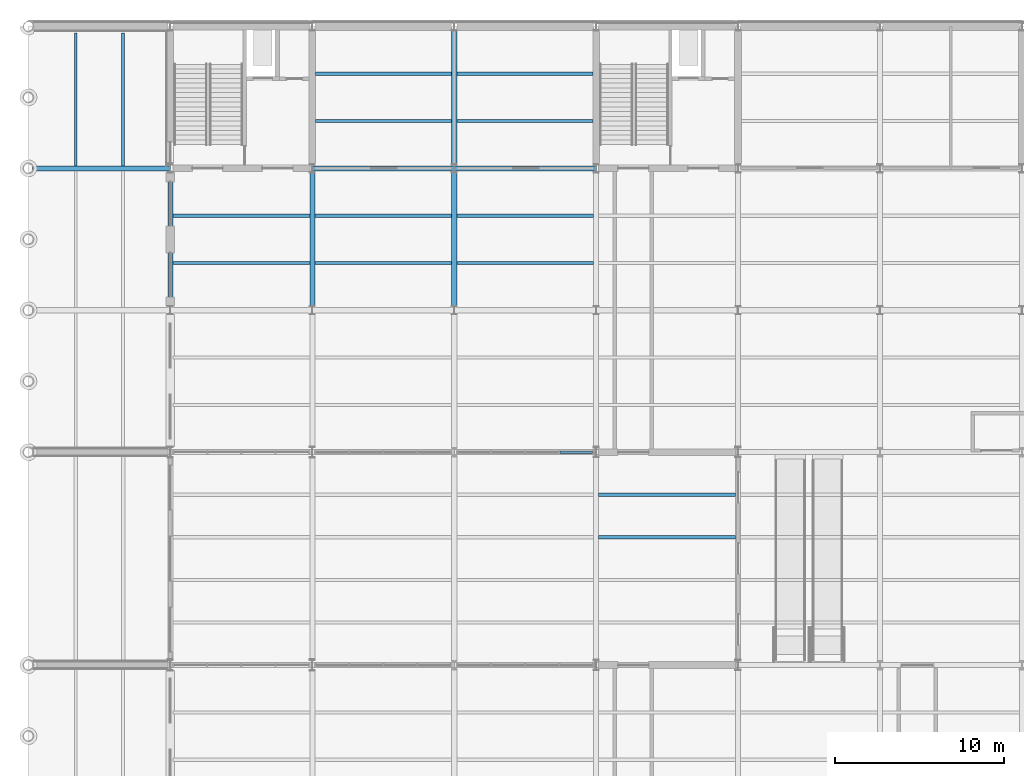
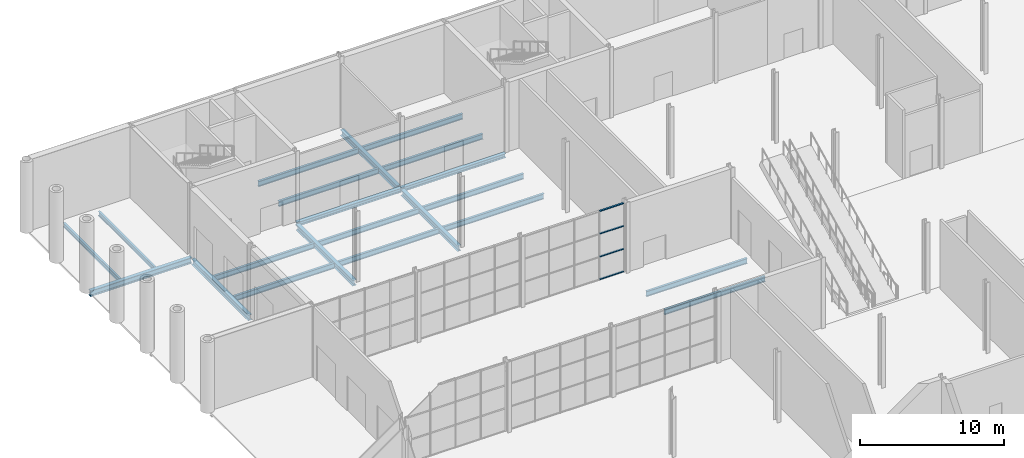
# One storey, part 17 of 55: 21 beams, 4 members, 1 element without a shape of its own.
"""IFC4 building model written with IfcOpenShell, lengths in metres."""

from ifc_helpers import new_model, si_unit, direction, frame, origin, origin_2d, place, context, subcontext, project, spatial, rectangle, i_section, extrude, material, layer, layer_set, material_profile, profile_set, type_object, element, aggregate, save


model = new_model("IFC4")

# Units and contexts
model_context = context("Model", 3, precision=1e-05, world=origin(), true_north=direction((0.0, 1.0)))
body_context = subcontext(model_context, "Body", "Model", "MODEL_VIEW")
ifc_project = project(units=[si_unit("LENGTHUNIT", "METRE"), si_unit("AREAUNIT", "SQUARE_METRE"), si_unit("VOLUMEUNIT", "CUBIC_METRE"), si_unit("PLANEANGLEUNIT", "RADIAN"), si_unit("MASSUNIT", "GRAM", prefix="KILO")], contexts=[model_context])

# Site, building, storey
site_placement = place(None, origin())
site = spatial("IfcSite", under=ifc_project, at=site_placement, CompositionType="ELEMENT")
building_placement = place(site_placement, origin())
building = spatial("IfcBuilding", under=site, at=building_placement, Name="Galleria Vessillo Department Store", CompositionType="ELEMENT")
storey_placement = place(building_placement, origin())
storey = spatial("IfcBuildingStorey", under=building, at=storey_placement, Name="L00", CompositionType="ELEMENT", Elevation=0.0)

# Curtain wall, members
ifc_material_1 = material(Name="Aluminium and glass curtain wall", Category="aluminium")
ifc_layer = layer(ifc_material_1, 0.199951171875)
ifc_layer_set = layer_set([ifc_layer], Name="Aluminium and glass curtain wall")
curtain_wall_type = type_object("IfcCurtainWallType", Name="Arcade curtain wall CW1 2100 module", PredefinedType="NOTDEFINED", material=ifc_layer_set)
curtain_wall_placement = place(storey_placement, origin())
curtain_wall = element("IfcCurtainWall", 1, at=curtain_wall_placement, inside=storey, type_object=curtain_wall_type, Name="Arcade curtain wall CW1 2100 module AI-AW-N-L00-02", PredefinedType="NOTDEFINED")
ifc_material_2 = material(Name="Aluminium alloy 6063 T6", Category="aluminium")
ifc_material_profile_1 = material_profile(ifc_material_2, rectangle(XDim=0.139892578125, YDim=0.070068359375, at=origin_2d()), Name="AL 70x140")
ifc_profile_set_1 = profile_set([ifc_material_profile_1], Name="Aluminium alloy 6063 T6")
member_type = type_object("IfcMemberType", Name="Aluminium transom 70 x 140", PredefinedType="USERDEFINED", material=ifc_profile_set_1)
member_1_placement = place(storey_placement, frame((31.453857421875, 37.800048828125, 0.034912109375), z_axis=(1.0, 0.0, 0.0), x_axis=(0.0, 1.0, 0.0)))
member_1 = element("IfcMember", 2, at=member_1_placement, type_object=member_type, Name="CW1 transom 4.1", ObjectType="TRANSOM", PredefinedType="USERDEFINED", context=body_context, shape_type="SweptSolid", body=[
    extrude(rectangle(XDim=0.139892578125, YDim=0.070068359375, at=origin_2d()), origin(), (0.0, 0.0, 1.0), 1.93359375),
])
member_2_placement = place(storey_placement, frame((31.453857421875, 37.800048828125, 1.949951171875), z_axis=(1.0, 0.0, 0.0), x_axis=(0.0, 1.0, 0.0)))
member_2 = element("IfcMember", 3, at=member_2_placement, type_object=member_type, Name="CW1 transom 4.2", ObjectType="TRANSOM", PredefinedType="USERDEFINED", context=body_context, shape_type="SweptSolid", body=[
    extrude(rectangle(XDim=0.139892578125, YDim=0.070068359375, at=origin_2d()), origin(), (0.0, 0.0, 1.0), 1.93359375),
])
member_3_placement = place(storey_placement, frame((31.453857421875, 37.800048828125, 3.900146484375), z_axis=(1.0, 0.0, 0.0), x_axis=(0.0, 1.0, 0.0)))
member_3 = element("IfcMember", 4, at=member_3_placement, type_object=member_type, Name="CW1 transom 4.3", ObjectType="TRANSOM", PredefinedType="USERDEFINED", context=body_context, shape_type="SweptSolid", body=[
    extrude(rectangle(XDim=0.139892578125, YDim=0.070068359375, at=origin_2d()), origin(), (0.0, 0.0, 1.0), 1.93359375),
])
member_4_placement = place(storey_placement, frame((31.453857421875, 37.800048828125, 5.815185546875), z_axis=(1.0, 0.0, 0.0), x_axis=(0.0, 1.0, 0.0)))
member_4 = element("IfcMember", 5, at=member_4_placement, type_object=member_type, Name="CW1 transom 4.4", ObjectType="TRANSOM", PredefinedType="USERDEFINED", context=body_context, shape_type="SweptSolid", body=[
    extrude(rectangle(XDim=0.139892578125, YDim=0.070068359375, at=origin_2d()), origin(), (0.0, 0.0, 1.0), 1.93359375),
])
aggregate(curtain_wall, [member_1, member_2, member_3, member_4])

# Beams
ifc_material_3 = material(Name="Steel S355 J2", Category="steel")
ifc_material_profile_2 = material_profile(ifc_material_3, i_section(OverallWidth=0.300048828125, OverallDepth=0.489990234375, WebThickness=0.011962890625, FlangeThickness=0.02294921875, FilletRadius=0.027099609375, at=origin_2d()), Name="HEA 500")
ifc_profile_set_2 = profile_set([ifc_material_profile_2], Name="Steel S355 J2")
beam_type_1 = type_object("IfcBeamType", Name="Floor girder HEA 500", PredefinedType="BEAM", material=ifc_profile_set_2)
beam_placement = place(storey_placement, frame((0.250244140625, 54.60009765625, -0.39501953125), z_axis=(1.0, 0.0, 0.0), x_axis=(0.0, 1.0, 0.0)))
element("IfcBeam", 6, at=beam_placement, inside=storey, type_object=beam_type_1, Name="S-BM-L00-GI-x54600-250", PredefinedType="BEAM", context=body_context, shape_type="SweptSolid", body=[
    extrude(i_section(OverallWidth=0.300048828125, OverallDepth=0.489990234375, WebThickness=0.011962890625, FlangeThickness=0.02294921875, FilletRadius=0.027099609375, at=origin_2d()), origin(), (0.0, 0.0, 1.0), 8.142333984375),
])
for number, where, z_axis, x_axis, name in (
    (7, (8.39990234375, 46.4501953125, -0.39501953125), (0.0, 1.0, 0.0), (-1.0, 0.0, 0.0), "S-BM-L00-GI-y8400-46450"),
    (8, (16.800048828125, 46.4501953125, -0.39501953125), (0.0, 1.0, 0.0), (-1.0, 0.0, 0.0), "S-BM-L00-GI-y16800-46450"),
    (9, (25.199951171875, 46.4501953125, -0.39501953125), (0.0, 1.0, 0.0), (-1.0, 0.0, 0.0), "S-BM-L00-GI-y25200-46450"),
    (10, (25.199951171875, 54.85009765625, -0.39501953125), (0.0, 1.0, 0.0), (-1.0, 0.0, 0.0), "S-BM-L00-GI-y25200-54850"),
):
    element("IfcBeam", number, at=place(storey_placement, frame(where, z_axis=z_axis, x_axis=x_axis)), inside=storey, type_object=beam_type_1, Name=name, PredefinedType="BEAM", context=body_context, shape_type="SweptSolid", body=[
        extrude(i_section(OverallWidth=0.300048828125, OverallDepth=0.489990234375, WebThickness=0.011962890625, FlangeThickness=0.02294921875, FilletRadius=0.027099609375, at=origin_2d()), origin(), (0.0, 0.0, 1.0), 7.899658203125),
    ])
ifc_material_4 = material(Name="Steel S355 J2", Category="steel")
ifc_material_profile_3 = material_profile(ifc_material_4, i_section(OverallWidth=0.169921875, OverallDepth=0.360107421875, WebThickness=0.008056640625, FlangeThickness=0.0126953125, FilletRadius=0.01806640625, at=origin_2d()), Name="IPE 360")
ifc_profile_set_3 = profile_set([ifc_material_profile_3], Name="Steel S355 J2")
beam_type_2 = type_object("IfcBeamType", Name="Floor joist IPE 360", PredefinedType="JOIST", material=ifc_profile_set_3)
for number, where, z_axis, x_axis, name in (
    (11, (2.800048828125, 54.750244140625, -0.329833984375), (0.0, 1.0, 0.0), (-1.0, 0.0, 0.0), "S-BM-L00-JO-y2800-54750"),
    (12, (5.60009765625, 54.750244140625, -0.329833984375), (0.0, 1.0, 0.0), (-1.0, 0.0, 0.0), "S-BM-L00-JO-y5600-54750"),
):
    element("IfcBeam", number, at=place(storey_placement, frame(where, z_axis=z_axis, x_axis=x_axis)), inside=storey, type_object=beam_type_2, Name=name, PredefinedType="JOIST", context=body_context, shape_type="SweptSolid", body=[
        extrude(i_section(OverallWidth=0.169921875, OverallDepth=0.360107421875, WebThickness=0.008056640625, FlangeThickness=0.0126953125, FilletRadius=0.01806640625, at=origin_2d()), origin(), (0.0, 0.0, 1.0), 7.849609375),
    ])
ifc_material_5 = material(Name="Steel S355 J2", Category="steel")
ifc_material_profile_4 = material_profile(ifc_material_5, i_section(OverallWidth=0.18994140625, OverallDepth=0.449951171875, WebThickness=0.009521484375, FlangeThickness=0.0146484375, FilletRadius=0.02099609375, at=origin_2d()), Name="IPE 450")
ifc_profile_set_4 = profile_set([ifc_material_profile_4], Name="Steel S355 J2")
beam_type_3 = type_object("IfcBeamType", Name="Floor joist IPE 450", PredefinedType="JOIST", material=ifc_profile_set_4)
for number, where, z_axis, x_axis, name in (
    (13, (8.550048828125, 49.0, -0.375), (1.0, 0.0, 0.0), (0.0, 1.0, 0.0), "S-BM-L00-JO-x49000-8550"),
    (14, (8.550048828125, 51.800048828125, -0.375), (1.0, 0.0, 0.0), (0.0, 1.0, 0.0), "S-BM-L00-JO-x51800-8550"),
):
    element("IfcBeam", number, at=place(storey_placement, frame(where, z_axis=z_axis, x_axis=x_axis)), inside=storey, type_object=beam_type_3, Name=name, PredefinedType="JOIST", context=body_context, shape_type="SweptSolid", body=[
        extrude(i_section(OverallWidth=0.18994140625, OverallDepth=0.449951171875, WebThickness=0.009521484375, FlangeThickness=0.0146484375, FilletRadius=0.02099609375, at=origin_2d()), origin(), (0.0, 0.0, 1.0), 8.099853515625),
    ])
for number, where, z_axis, x_axis, name in (
    (15, (16.9501953125, 49.0, -0.375), (1.0, 0.0, 0.0), (0.0, 1.0, 0.0), "S-BM-L00-JO-x49000-16950"),
    (16, (16.9501953125, 51.800048828125, -0.375), (1.0, 0.0, 0.0), (0.0, 1.0, 0.0), "S-BM-L00-JO-x51800-16950"),
):
    element("IfcBeam", number, at=place(storey_placement, frame(where, z_axis=z_axis, x_axis=x_axis)), inside=storey, type_object=beam_type_3, Name=name, PredefinedType="JOIST", context=body_context, shape_type="SweptSolid", body=[
        extrude(i_section(OverallWidth=0.18994140625, OverallDepth=0.449951171875, WebThickness=0.009521484375, FlangeThickness=0.0146484375, FilletRadius=0.02099609375, at=origin_2d()), origin(), (0.0, 0.0, 1.0), 8.099609375),
    ])
for number, where, z_axis, x_axis, name in (
    (17, (17.000244140625, 57.39990234375, -0.375), (1.0, 0.0, 0.0), (0.0, 1.0, 0.0), "S-BM-L00-JO-x57400-17000"),
    (18, (17.000244140625, 60.199951171875, -0.375), (1.0, 0.0, 0.0), (0.0, 1.0, 0.0), "S-BM-L00-JO-x60200-17000"),
):
    element("IfcBeam", number, at=place(storey_placement, frame(where, z_axis=z_axis, x_axis=x_axis)), inside=storey, type_object=beam_type_3, Name=name, PredefinedType="JOIST", context=body_context, shape_type="SweptSolid", body=[
        extrude(i_section(OverallWidth=0.18994140625, OverallDepth=0.449951171875, WebThickness=0.009521484375, FlangeThickness=0.0146484375, FilletRadius=0.02099609375, at=origin_2d()), origin(), (0.0, 0.0, 1.0), 8.049560546875),
    ])
for number, where, z_axis, x_axis, name in (
    (19, (25.35009765625, 49.0, -0.375), (1.0, 0.0, 0.0), (0.0, 1.0, 0.0), "S-BM-L00-JO-x49000-25350"),
    (20, (25.35009765625, 51.800048828125, -0.375), (1.0, 0.0, 0.0), (0.0, 1.0, 0.0), "S-BM-L00-JO-x51800-25350"),
):
    element("IfcBeam", number, at=place(storey_placement, frame(where, z_axis=z_axis, x_axis=x_axis)), inside=storey, type_object=beam_type_3, Name=name, PredefinedType="JOIST", context=body_context, shape_type="SweptSolid", body=[
        extrude(i_section(OverallWidth=0.18994140625, OverallDepth=0.449951171875, WebThickness=0.009521484375, FlangeThickness=0.0146484375, FilletRadius=0.02099609375, at=origin_2d()), origin(), (0.0, 0.0, 1.0), 8.099853515625),
    ])
for number, where, z_axis, x_axis, name in (
    (21, (25.35009765625, 57.39990234375, -0.375), (1.0, 0.0, 0.0), (0.0, 1.0, 0.0), "S-BM-L00-JO-x57400-25350"),
    (22, (25.35009765625, 60.199951171875, -0.375), (1.0, 0.0, 0.0), (0.0, 1.0, 0.0), "S-BM-L00-JO-x60200-25350"),
):
    element("IfcBeam", number, at=place(storey_placement, frame(where, z_axis=z_axis, x_axis=x_axis)), inside=storey, type_object=beam_type_3, Name=name, PredefinedType="JOIST", context=body_context, shape_type="SweptSolid", body=[
        extrude(i_section(OverallWidth=0.18994140625, OverallDepth=0.449951171875, WebThickness=0.009521484375, FlangeThickness=0.0146484375, FilletRadius=0.02099609375, at=origin_2d()), origin(), (0.0, 0.0, 1.0), 8.0498046875),
    ])
for number, where, z_axis, x_axis, name in (
    (23, (33.750244140625, 32.760009765625, -0.47509765625), (1.0, 0.0, 0.0), (0.0, 1.0, 0.0), "S-BM-L00-JO-x32760-33750"),
    (24, (33.750244140625, 35.280029296875, -0.47509765625), (1.0, 0.0, 0.0), (0.0, 1.0, 0.0), "S-BM-L00-JO-x35280-33750"),
):
    element("IfcBeam", number, at=place(storey_placement, frame(where, z_axis=z_axis, x_axis=x_axis)), inside=storey, type_object=beam_type_3, Name=name, PredefinedType="JOIST", context=body_context, shape_type="SweptSolid", body=[
        extrude(i_section(OverallWidth=0.18994140625, OverallDepth=0.449951171875, WebThickness=0.009521484375, FlangeThickness=0.0146484375, FilletRadius=0.02099609375, at=origin_2d()), origin(), (0.0, 0.0, 1.0), 8.099609375),
    ])
ifc_material_6 = material(Name="Steel S355 J2", Category="steel")
ifc_material_profile_5 = material_profile(ifc_material_6, i_section(OverallWidth=0.300048828125, OverallDepth=0.35009765625, WebThickness=0.010009765625, FlangeThickness=0.017578125, FilletRadius=0.027099609375, at=origin_2d()), Name="HEA 360")
ifc_profile_set_5 = profile_set([ifc_material_profile_5], Name="Steel S355 J2")
beam_type_4 = type_object("IfcBeamType", Name="Floor tie girder HEA 360", PredefinedType="BEAM", material=ifc_profile_set_5)
for number, where, z_axis, x_axis, name in (
    (25, (16.807373046875, 54.60009765625, -0.324951171875), (1.0, 0.0, 0.0), (0.0, 1.0, 0.0), "S-BM-L00-TI-x54600-16807"),
    (26, (25.207275390625, 54.60009765625, -0.324951171875), (1.0, 0.0, 0.0), (0.0, 1.0, 0.0), "S-BM-L00-TI-x54600-25207"),
):
    element("IfcBeam", number, at=place(storey_placement, frame(where, z_axis=z_axis, x_axis=x_axis)), inside=storey, type_object=beam_type_4, Name=name, PredefinedType="BEAM", context=body_context, shape_type="SweptSolid", body=[
        extrude(i_section(OverallWidth=0.300048828125, OverallDepth=0.35009765625, WebThickness=0.010009765625, FlangeThickness=0.017578125, FilletRadius=0.027099609375, at=origin_2d()), origin(), (0.0, 0.0, 1.0), 8.38525390625),
    ])

save(model, "model.ifc")
